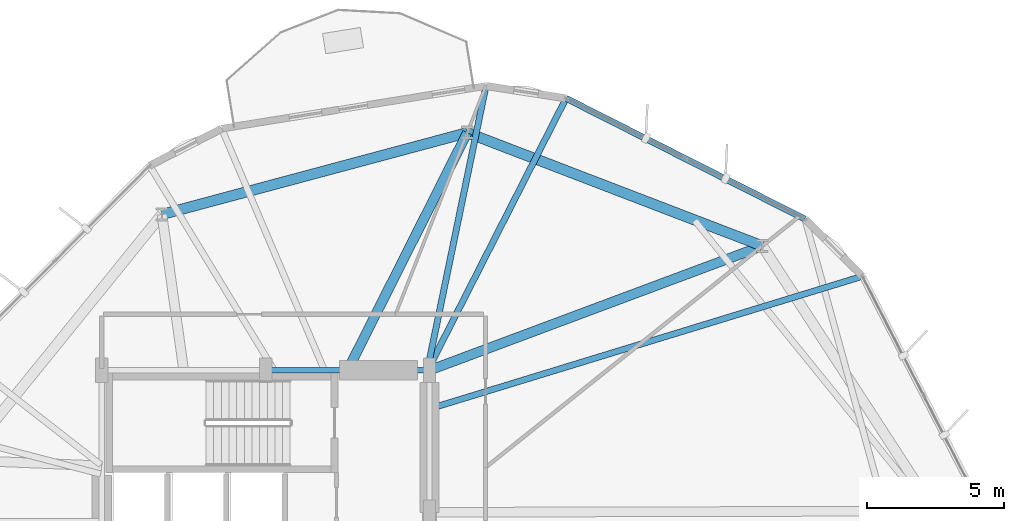
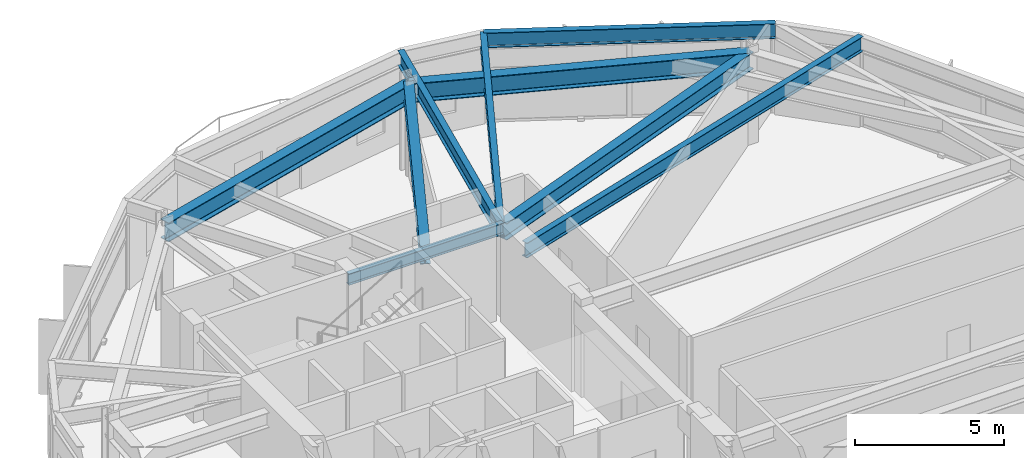
# One storey, part 14 of 23: 9 beams.
"""IFC4 building model written with IfcOpenShell, lengths in metres."""

from ifc_helpers import new_model, si_unit, direction, frame, origin, origin_2d, place, context, subcontext, project, spatial, i_section, extrude, material, material_profile, profile_set, type_object, element, save


model = new_model("IFC4")

# Units and contexts
model_context = context("Model", 3, precision=1e-05, world=origin(), true_north=direction((0.0, 1.0)))
body_context = subcontext(model_context, "Body", "Model", "MODEL_VIEW")
ifc_project = project(units=[si_unit("LENGTHUNIT", "METRE"), si_unit("AREAUNIT", "SQUARE_METRE"), si_unit("VOLUMEUNIT", "CUBIC_METRE"), si_unit("PLANEANGLEUNIT", "RADIAN"), si_unit("MASSUNIT", "GRAM", prefix="KILO")], contexts=[model_context])

# Site, building, storey
site_placement = place(None, origin())
site = spatial("IfcSite", under=ifc_project, at=site_placement, CompositionType="ELEMENT")
building_placement = place(site_placement, origin())
building = spatial("IfcBuilding", under=site, at=building_placement, Name="Soratama Intermodal Tower", CompositionType="ELEMENT")
storey_placement = place(building_placement, frame((0.0, 0.0, 62.60009765625)))
storey = spatial("IfcBuildingStorey", under=building, at=storey_placement, Name="L14", CompositionType="ELEMENT", Elevation=62.60009765625)

# Beams
ifc_material_1 = material(Name="Structural steel ASTM A992 Grade 50", Category="steel")
ifc_material_profile_1 = material_profile(ifc_material_1, i_section(OverallWidth=0.19091796875, OverallDepth=0.4599609375, WebThickness=0.010009765625, FlangeThickness=0.01611328125, FilletRadius=0.010986328125, at=origin_2d()), Name="W18X55")
ifc_profile_set_1 = profile_set([ifc_material_profile_1], Name="Structural steel ASTM A992 Grade 50")
beam_type_1 = type_object("IfcBeamType", Name="BM-FLR-W18X55", PredefinedType="BEAM", material=ifc_profile_set_1)
beam_1_placement = place(storey_placement, frame((44.60009765625, 35.0, 3.469970703125), z_axis=(-1.0, 0.0, 0.0), x_axis=(0.0, -1.0, 0.0)))
element("IfcBeam", 1, at=beam_1_placement, inside=storey, type_object=beam_type_1, Name="BM-L14-CRING-06", PredefinedType="BEAM", context=body_context, shape_type="SweptSolid", body=[
    extrude(i_section(OverallWidth=0.19091796875, OverallDepth=0.4599609375, WebThickness=0.010009765625, FlangeThickness=0.01611328125, FilletRadius=0.010986328125, at=origin_2d()), origin(), (0.0, 0.0, 1.0), 6.0),
])
ifc_material_2 = material(Name="Structural steel ASTM A992 Grade 50", Category="steel")
ifc_material_profile_2 = material_profile(ifc_material_2, i_section(OverallWidth=0.35498046875, OverallDepth=0.695068359375, WebThickness=0.015380859375, FlangeThickness=0.02490234375, FilletRadius=0.01611328125, at=origin_2d()), Name="W27X146")
ifc_profile_set_2 = profile_set([ifc_material_profile_2], Name="Structural steel ASTM A992 Grade 50")
beam_type_2 = type_object("IfcBeamType", Name="BM-RING-W27X146", PredefinedType="BEAM", material=ifc_profile_set_2)
beam_2_placement = place(storey_placement, frame((44.60009765625, 35.0, 3.352294921875), z_axis=(0.936827486358, 0.349791739189, 0.0), x_axis=(-0.349791739189, 0.936827486358, 0.0)))
element("IfcBeam", 2, at=beam_2_placement, inside=storey, type_object=beam_type_2, Name="BM-L14-RAD-02", PredefinedType="BEAM", context=body_context, shape_type="SweptSolid", body=[
    extrude(i_section(OverallWidth=0.35498046875, OverallDepth=0.695068359375, WebThickness=0.015380859375, FlangeThickness=0.02490234375, FilletRadius=0.01611328125, at=origin_2d()), origin(), (0.0, 0.0, 1.0), 13.002197265625),
])
beam_3_placement = place(storey_placement, frame((41.60009765625, 35.0, 3.352294921875), z_axis=(0.449910017166, 0.893073891934, 0.0), x_axis=(-0.893073891934, 0.449910017166, 0.0)))
element("IfcBeam", 3, at=beam_3_placement, inside=storey, type_object=beam_type_2, Name="BM-L14-RAD-03", PredefinedType="BEAM", context=body_context, shape_type="SweptSolid", body=[
    extrude(i_section(OverallWidth=0.35498046875, OverallDepth=0.695068359375, WebThickness=0.015380859375, FlangeThickness=0.02490234375, FilletRadius=0.01611328125, at=origin_2d()), origin(), (0.0, 0.0, 1.0), 9.735107421875),
])
ifc_material_3 = material(Name="Structural steel ASTM A992 Grade 50", Category="steel")
ifc_material_profile_3 = material_profile(ifc_material_3, i_section(OverallWidth=0.382080078125, OverallDepth=0.779052734375, WebThickness=0.01806640625, FlangeThickness=0.030029296875, FilletRadius=0.01806640625, at=origin_2d()), Name="W30X191")
ifc_profile_set_3 = profile_set([ifc_material_profile_3], Name="Structural steel ASTM A992 Grade 50")
beam_type_3 = type_object("IfcBeamType", Name="BM-RING-W30X191", PredefinedType="BEAM", material=ifc_profile_set_3)
beam_4_placement = place(storey_placement, frame((56.781005859375, 39.548095703125, 3.310302734375), z_axis=(-0.933584159632, 0.358358224246, 0.0), x_axis=(-0.358358224246, -0.933584159632, 0.0)))
element("IfcBeam", 4, at=beam_4_placement, inside=storey, type_object=beam_type_3, Name="BM-L14-RING-02", PredefinedType="BEAM", context=body_context, shape_type="SweptSolid", body=[
    extrude(i_section(OverallWidth=0.382080078125, OverallDepth=0.779052734375, WebThickness=0.01806640625, FlangeThickness=0.030029296875, FilletRadius=0.01806640625, at=origin_2d()), origin(), (0.0, 0.0, 1.0), 11.5693359375),
])
beam_5_placement = place(storey_placement, frame((45.97998046875, 43.694091796875, 3.310302734375), z_axis=(-0.965935902196, -0.258781438376, 0.0), x_axis=(0.258781438376, -0.965935902196, 0.0)))
element("IfcBeam", 5, at=beam_5_placement, inside=storey, type_object=beam_type_3, Name="BM-L14-RING-03", PredefinedType="BEAM", context=body_context, shape_type="SweptSolid", body=[
    extrude(i_section(OverallWidth=0.382080078125, OverallDepth=0.779052734375, WebThickness=0.01806640625, FlangeThickness=0.030029296875, FilletRadius=0.01806640625, at=origin_2d()), origin(), (0.0, 0.0, 1.0), 11.570068359375),
])
ifc_material_4 = material(Name="Structural steel ASTM A992 Grade 50", Category="steel")
ifc_material_profile_4 = material_profile(ifc_material_4, i_section(OverallWidth=0.22900390625, OverallDepth=0.612060546875, WebThickness=0.011962890625, FlangeThickness=0.01953125, FilletRadius=0.012939453125, at=origin_2d()), Name="W24X84")
ifc_profile_set_4 = profile_set([ifc_material_profile_4], Name="Structural steel ASTM A992 Grade 50")
beam_type_4 = type_object("IfcBeamType", Name="BM-SPN-W24X84", PredefinedType="SPANDREL", material=ifc_profile_set_4)
beam_6_placement = place(storey_placement, frame((58.343017578125, 40.531005859375, 3.393798828125), z_axis=(-0.892425399308, 0.451194976336, 0.0), x_axis=(-0.451194976336, -0.892425399308, 0.0)))
element("IfcBeam", 6, at=beam_6_placement, inside=storey, type_object=beam_type_4, Name="BS-L14-F02", PredefinedType="SPANDREL", context=body_context, shape_type="SweptSolid", body=[
    extrude(i_section(OverallWidth=0.22900390625, OverallDepth=0.612060546875, WebThickness=0.011962890625, FlangeThickness=0.01953125, FilletRadius=0.012939453125, at=origin_2d()), origin(), (0.0, 0.0, 1.0), 9.80029296875),
])
ifc_material_5 = material(Name="Structural steel ASTM A992 Grade 50", Category="steel")
ifc_material_profile_5 = material_profile(ifc_material_5, i_section(OverallWidth=0.22900390625, OverallDepth=0.612060546875, WebThickness=0.011962890625, FlangeThickness=0.01953125, FilletRadius=0.012939453125, at=origin_2d()), Name="W24X84")
ifc_profile_set_5 = profile_set([ifc_material_profile_5], Name="Structural steel ASTM A992 Grade 50")
beam_type_5 = type_object("IfcBeamType", Name="BM-TIE-W24X84", PredefinedType="BEAM", material=ifc_profile_set_5)
beam_7_placement = place(storey_placement, frame((44.637939453125, 33.59912109375, 3.393798828125), z_axis=(0.95617785392, 0.292786460876, 0.0), x_axis=(-0.292786460876, 0.95617785392, 0.0)))
element("IfcBeam", 7, at=beam_7_placement, inside=storey, type_object=beam_type_5, Name="BM-L14-TIE1-01", PredefinedType="BEAM", context=body_context, shape_type="SweptSolid", body=[
    extrude(i_section(OverallWidth=0.22900390625, OverallDepth=0.612060546875, WebThickness=0.011962890625, FlangeThickness=0.01953125, FilletRadius=0.012939453125, at=origin_2d()), origin(), (0.0, 0.0, 1.0), 16.53369140625),
])
beam_8_placement = place(storey_placement, frame((44.550048828125, 35.035888671875, 3.393798828125), z_axis=(0.453556311629, 0.891227620859, 0.0), x_axis=(-0.891227620859, 0.453556311629, 0.0)))
element("IfcBeam", 8, at=beam_8_placement, inside=storey, type_object=beam_type_5, Name="BM-L14-TIE1-02", PredefinedType="BEAM", context=body_context, shape_type="SweptSolid", body=[
    extrude(i_section(OverallWidth=0.22900390625, OverallDepth=0.612060546875, WebThickness=0.011962890625, FlangeThickness=0.01953125, FilletRadius=0.012939453125, at=origin_2d()), origin(), (0.0, 0.0, 1.0), 11.12744140625),
])
beam_9_placement = place(storey_placement, frame((44.52490234375, 35.0390625, 3.393798828125), z_axis=(0.202227389849, 0.97933859456, 0.0), x_axis=(-0.97933859456, 0.202227389849, 0.0)))
element("IfcBeam", 9, at=beam_9_placement, inside=storey, type_object=beam_type_5, Name="BM-L14-TIE0-03", PredefinedType="BEAM", context=body_context, shape_type="SweptSolid", body=[
    extrude(i_section(OverallWidth=0.22900390625, OverallDepth=0.612060546875, WebThickness=0.011962890625, FlangeThickness=0.01953125, FilletRadius=0.012939453125, at=origin_2d()), origin(), (0.0, 0.0, 1.0), 10.587646484375),
])

save(model, "model.ifc")
